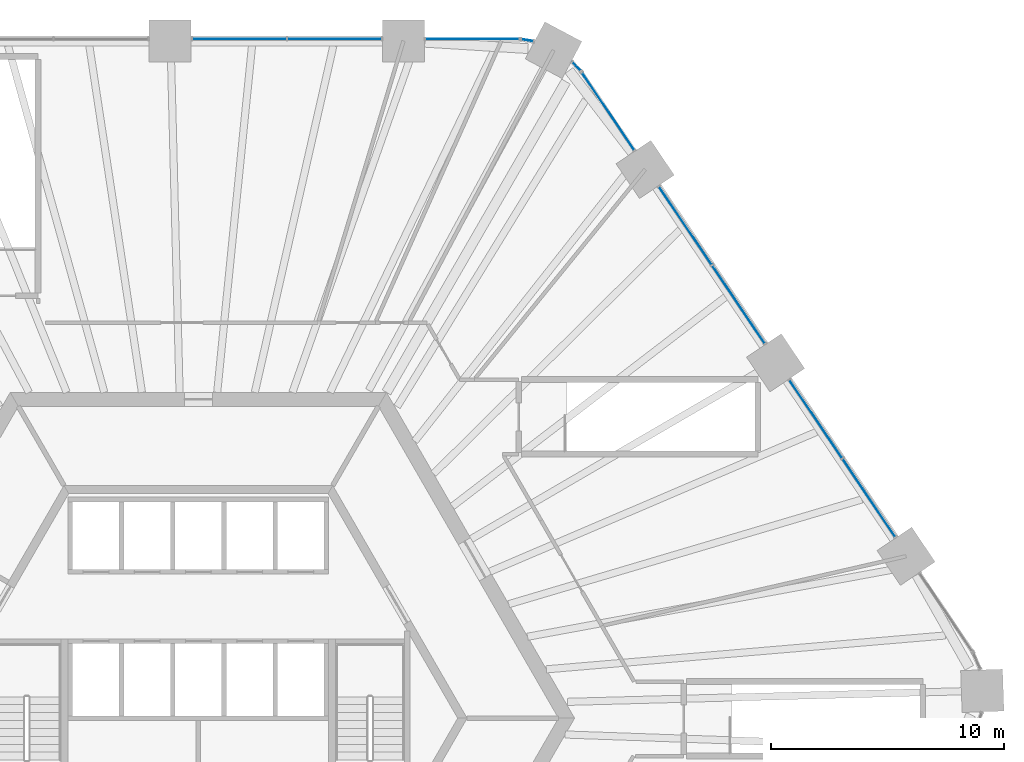
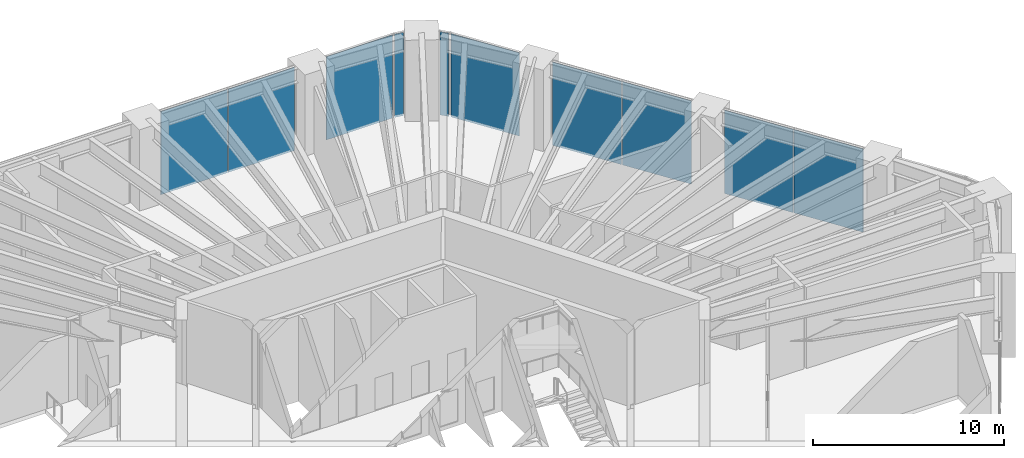
# One storey, part 18 of 25: 10 plates, 7 elements without a shape of their own.
"""IFC4 building model written with IfcOpenShell, lengths in metres."""

from ifc_helpers import new_model, si_unit, direction, frame, origin, origin_2d, place, context, subcontext, project, spatial, rectangle, extrude, material, layer, layer_set, type_object, element, aggregate, save


model = new_model("IFC4")

# Units and contexts
model_context = context("Model", 3, precision=1e-05, world=origin(), true_north=direction((0.0, 1.0)))
body_context = subcontext(model_context, "Body", "Model", "MODEL_VIEW")
ifc_project = project(units=[si_unit("LENGTHUNIT", "METRE"), si_unit("AREAUNIT", "SQUARE_METRE"), si_unit("VOLUMEUNIT", "CUBIC_METRE"), si_unit("PLANEANGLEUNIT", "RADIAN"), si_unit("MASSUNIT", "GRAM", prefix="KILO")], contexts=[model_context])

# Site, building, storey
site_placement = place(None, origin())
site = spatial("IfcSite", under=ifc_project, at=site_placement, CompositionType="ELEMENT")
building_placement = place(site_placement, origin())
building = spatial("IfcBuilding", under=site, at=building_placement, Name="Tarnside Tower", CompositionType="ELEMENT")
storey_placement = place(building_placement, frame((0.0, 0.0, 26.0)))
storey = spatial("IfcBuildingStorey", under=building, at=storey_placement, Name="L04", CompositionType="ELEMENT", Elevation=26.0)

# Curtain wall, plates
ifc_material_1 = material(Name="Retail shopfront glazing wall", Category="glass")
curtain_wall_type = type_object("IfcCurtainWallType", Name="Retail shopfront glazing wall", PredefinedType="NOTDEFINED", material=ifc_material_1)
curtain_wall_1_placement = place(storey_placement, origin())
curtain_wall_1 = element("IfcCurtainWall", 1, at=curtain_wall_1_placement, inside=storey, type_object=curtain_wall_type, Name="Retail shopfront glazing L04 00.0", PredefinedType="NOTDEFINED")
ifc_material_2 = material(Name="Low-iron safety glass", Category="glass")
ifc_layer = layer(ifc_material_2, 0.028076171875)
ifc_layer_set = layer_set([ifc_layer], Name="Retail shopfront glazing panel 28")
plate_type = type_object("IfcPlateType", Name="Retail shopfront glazing panel 28", PredefinedType="CURTAIN_PANEL", material=ifc_layer_set)
plate_1_placement = place(storey_placement, frame((5.841796875, 29.179931640625, -0.18994140625), z_axis=(0.0, 0.0, 1.0), x_axis=(-1.0, 0.0, 0.0)))
plate_1 = element("IfcPlate", 2, at=plate_1_placement, type_object=plate_type, Name="CW2 panel 1.1", PredefinedType="CURTAIN_PANEL", context=body_context, shape_type="SweptSolid", body=[
    extrude(rectangle(XDim=4.021728515625, YDim=0.028076171875, at=origin_2d()), origin(), (0.0, 0.0, 1.0), 5.330078125),
])
plate_2_placement = place(storey_placement, frame((1.759765625, 29.179931640625, -0.18994140625), z_axis=(0.0, 0.0, 1.0), x_axis=(-1.0, 0.0, 0.0)))
plate_2 = element("IfcPlate", 3, at=plate_2_placement, type_object=plate_type, Name="CW2 panel 2.1", PredefinedType="CURTAIN_PANEL", context=body_context, shape_type="SweptSolid", body=[
    extrude(rectangle(XDim=4.021728515625, YDim=0.028076171875, at=origin_2d()), origin(), (0.0, 0.0, 1.0), 5.330078125),
])
aggregate(curtain_wall_1, [plate_1, plate_2])

curtain_wall_2_placement = place(storey_placement, origin())
curtain_wall_2 = element("IfcCurtainWall", 4, at=curtain_wall_2_placement, inside=storey, type_object=curtain_wall_type, Name="Retail shopfront glazing L04 20.0", PredefinedType="NOTDEFINED")
plate_3_placement = place(storey_placement, frame((28.8125, 9.46630859375, -0.18994140625), z_axis=(0.0, 0.0, 1.0), x_axis=(-0.559192903485, 0.829037572545, 0.0)))
plate_3 = element("IfcPlate", 5, at=plate_3_placement, type_object=plate_type, Name="CW2 panel 1.1", PredefinedType="CURTAIN_PANEL", context=body_context, shape_type="SweptSolid", body=[
    extrude(rectangle(XDim=4.021728515625, YDim=0.028076171875, at=origin_2d()), origin(), (0.0, 0.0, 1.0), 5.330078125),
])
plate_4_placement = place(storey_placement, frame((26.52978515625, 12.85009765625, -0.18994140625), z_axis=(0.0, 0.0, 1.0), x_axis=(-0.559192903485, 0.829037572545, 0.0)))
plate_4 = element("IfcPlate", 6, at=plate_4_placement, type_object=plate_type, Name="CW2 panel 2.1", PredefinedType="CURTAIN_PANEL", context=body_context, shape_type="SweptSolid", body=[
    extrude(rectangle(XDim=4.021728515625, YDim=0.028076171875, at=origin_2d()), origin(), (0.0, 0.0, 1.0), 5.330078125),
])
aggregate(curtain_wall_2, [plate_3, plate_4])

curtain_wall_3_placement = place(storey_placement, origin())
curtain_wall_3 = element("IfcCurtainWall", 7, at=curtain_wall_3_placement, inside=storey, type_object=curtain_wall_type, Name="Retail shopfront glazing L04 21.0", PredefinedType="NOTDEFINED")
plate_5_placement = place(storey_placement, frame((23.207275390625, 17.776123046875, -0.18994140625), z_axis=(0.0, 0.0, 1.0), x_axis=(-0.559192903485, 0.829037572545, 0.0)))
plate_5 = element("IfcPlate", 8, at=plate_5_placement, type_object=plate_type, Name="CW2 panel 1.1", PredefinedType="CURTAIN_PANEL", context=body_context, shape_type="SweptSolid", body=[
    extrude(rectangle(XDim=4.021728515625, YDim=0.028076171875, at=origin_2d()), origin(), (0.0, 0.0, 1.0), 5.330078125),
])
plate_6_placement = place(storey_placement, frame((20.9248046875, 21.16015625, -0.18994140625), z_axis=(0.0, 0.0, 1.0), x_axis=(-0.559192903485, 0.829037572545, 0.0)))
plate_6 = element("IfcPlate", 9, at=plate_6_placement, type_object=plate_type, Name="CW2 panel 2.1", PredefinedType="CURTAIN_PANEL", context=body_context, shape_type="SweptSolid", body=[
    extrude(rectangle(XDim=4.021728515625, YDim=0.028076171875, at=origin_2d()), origin(), (0.0, 0.0, 1.0), 5.330078125),
])
aggregate(curtain_wall_3, [plate_5, plate_6])

# Curtain wall, plate
curtain_wall_4_placement = place(storey_placement, origin())
curtain_wall_4 = element("IfcCurtainWall", 10, at=curtain_wall_4_placement, inside=storey, type_object=curtain_wall_type, Name="Retail shopfront glazing L04 22.0", PredefinedType="NOTDEFINED")
plate_7_placement = place(storey_placement, frame((17.6103515625, 26.07373046875, -0.18994140625), z_axis=(0.0, 0.0, 1.0), x_axis=(-0.559192903413, 0.829037572594, 0.0)))
plate_7 = element("IfcPlate", 11, at=plate_7_placement, type_object=plate_type, Name="CW2 panel 1.1", PredefinedType="CURTAIN_PANEL", context=body_context, shape_type="SweptSolid", body=[
    extrude(rectangle(XDim=3.991943359375, YDim=0.028076171875, at=origin_2d()), origin(), (0.0, 0.0, 1.0), 5.330078125),
])
aggregate(curtain_wall_4, [plate_7])

curtain_wall_5_placement = place(storey_placement, origin())
curtain_wall_5 = element("IfcCurtainWall", 12, at=curtain_wall_5_placement, inside=storey, type_object=curtain_wall_type, Name="Retail shopfront glazing L04 22.1", PredefinedType="NOTDEFINED")
plate_8_placement = place(storey_placement, frame((16.243896484375, 28.009521484375, -0.18994140625), z_axis=(0.0, 0.0, 1.0), x_axis=(-0.686241637814, 0.727373641625, 0.0)))
plate_8 = element("IfcPlate", 13, at=plate_8_placement, type_object=plate_type, Name="CW2 panel 1.1", PredefinedType="CURTAIN_PANEL", context=body_context, shape_type="SweptSolid", body=[
    extrude(rectangle(XDim=0.48828125, YDim=0.028076171875, at=origin_2d()), origin(), (0.0, 0.0, 1.0), 5.330078125),
])
aggregate(curtain_wall_5, [plate_8])

curtain_wall_6_placement = place(storey_placement, origin())
curtain_wall_6 = element("IfcCurtainWall", 14, at=curtain_wall_6_placement, inside=storey, type_object=curtain_wall_type, Name="Retail shopfront glazing L04 23.0", PredefinedType="NOTDEFINED")
plate_9_placement = place(storey_placement, frame((14.137451171875, 29.129638671875, -0.18994140625), z_axis=(0.0, 0.0, 1.0), x_axis=(-0.986761531995, 0.162177923823, 0.0)))
plate_9 = element("IfcPlate", 15, at=plate_9_placement, type_object=plate_type, Name="CW2 panel 1.1", PredefinedType="CURTAIN_PANEL", context=body_context, shape_type="SweptSolid", body=[
    extrude(rectangle(XDim=0.48828125, YDim=0.028076171875, at=origin_2d()), origin(), (0.0, 0.0, 1.0), 5.330078125),
])
aggregate(curtain_wall_6, [plate_9])

curtain_wall_7_placement = place(storey_placement, origin())
curtain_wall_7 = element("IfcCurtainWall", 16, at=curtain_wall_7_placement, inside=storey, type_object=curtain_wall_type, Name="Retail shopfront glazing L04 23.1", PredefinedType="NOTDEFINED")
plate_10_placement = place(storey_placement, frame((11.7685546875, 29.179931640625, -0.18994140625), z_axis=(0.0, 0.0, 1.0), x_axis=(-1.0, 0.0, 0.0)))
plate_10 = element("IfcPlate", 17, at=plate_10_placement, type_object=plate_type, Name="CW2 panel 1.1", PredefinedType="CURTAIN_PANEL", context=body_context, shape_type="SweptSolid", body=[
    extrude(rectangle(XDim=3.991943359375, YDim=0.028076171875, at=origin_2d()), origin(), (0.0, 0.0, 1.0), 5.330078125),
])
aggregate(curtain_wall_7, [plate_10])

save(model, "model.ifc")
